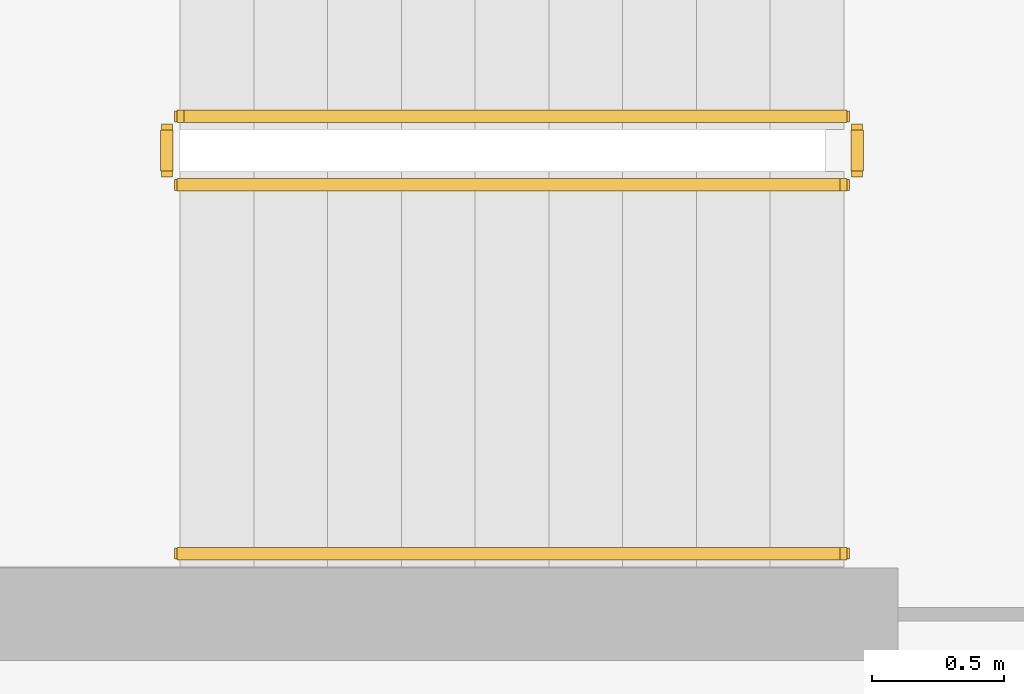
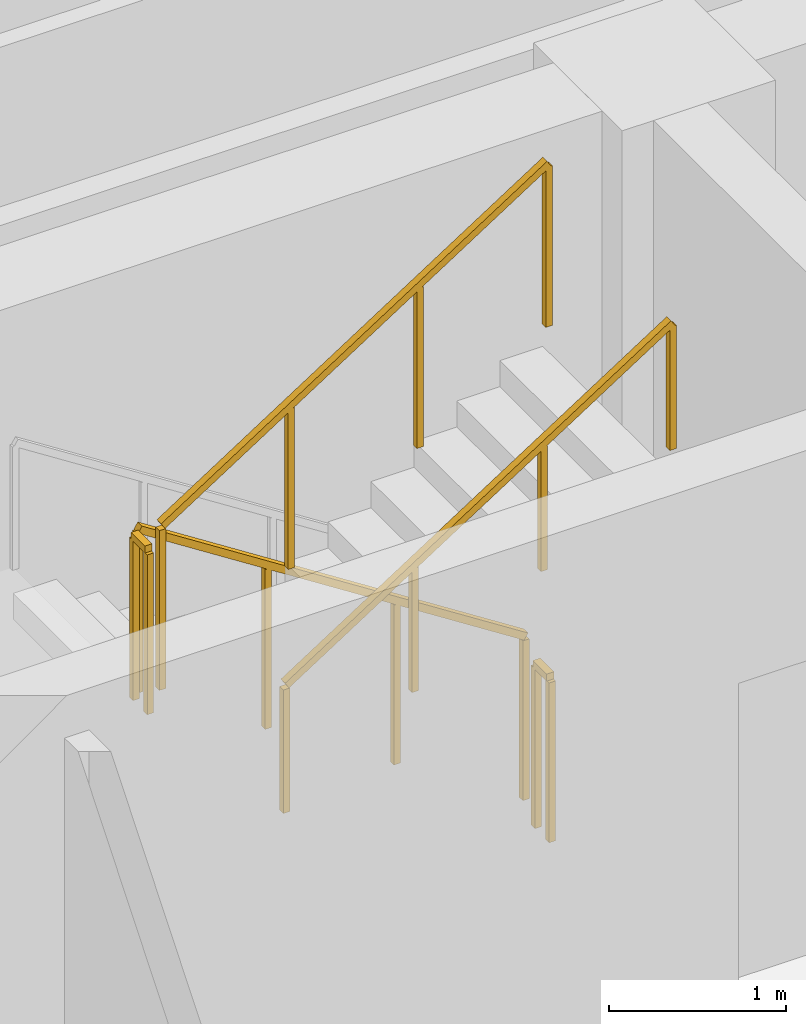
# One storey, part 12 of 14: 5 railings.
"""IFC4 building model written with IfcOpenShell, lengths in metres."""

from ifc_helpers import new_model, si_unit, direction, frame, origin, origin_2d, place, context, subcontext, project, spatial, rectangle, extrude, material, type_object, element, save


model = new_model("IFC4")

# Units and contexts
model_context = context("Model", 3, precision=1e-05, world=origin(), true_north=direction((0.0, 1.0)))
body_context = subcontext(model_context, "Body", "Model", "MODEL_VIEW")
ifc_project = project(units=[si_unit("LENGTHUNIT", "METRE"), si_unit("AREAUNIT", "SQUARE_METRE"), si_unit("VOLUMEUNIT", "CUBIC_METRE"), si_unit("PLANEANGLEUNIT", "RADIAN"), si_unit("MASSUNIT", "GRAM", prefix="KILO")], contexts=[model_context])

# Site, building, storey
site_placement = place(None, origin())
site = spatial("IfcSite", under=ifc_project, at=site_placement, CompositionType="ELEMENT")
building_placement = place(site_placement, origin())
building = spatial("IfcBuilding", under=site, at=building_placement, Name="Zarnavel Station Tower", CompositionType="ELEMENT")
storey_placement = place(building_placement, frame((0.0, 0.0, 193.199951171875)))
storey = spatial("IfcBuildingStorey", under=building, at=storey_placement, Name="L52", CompositionType="ELEMENT", Elevation=193.199951171875)

# Railings
ifc_material_1 = material(Name="Painted Steel S355J2 Balustrade", Category="steel")
railing_type_1 = type_object("IfcRailingType", Name="GR_INT_1150", PredefinedType="GUARDRAIL", material=ifc_material_1)
railing_1_placement = place(storey_placement, frame((19.47998046875, 35.3701171875, 0.179931640625)))
element("IfcRailing", 1, at=railing_1_placement, inside=storey, type_object=railing_type_1, Name="L52 ST1 stair guard 1", PredefinedType="GUARDRAIL", context=body_context, shape_type="SweptSolid", body=[
    extrude(rectangle(XDim=0.048095703125, YDim=0.048095703125, at=origin_2d()), frame((-0.001708984375, 0.0, 1.126953125), z_axis=(-0.841162588446, 0.0, 0.540782303519), x_axis=(0.0, -1.0, 0.0)), (0.0, 0.0, 1.0), 2.991943359375),
    extrude(rectangle(XDim=0.0419921875, YDim=0.0419921875, at=origin_2d()), origin(), (0.0, 0.0, 1.0), 1.101806640625),
    extrude(rectangle(XDim=0.0419921875, YDim=0.0419921875, at=origin_2d()), frame((-0.840087890625, 0.0, 0.5400390625)), (0.0, 0.0, 1.0), 1.101806640625),
    extrude(rectangle(XDim=0.0419921875, YDim=0.0419921875, at=origin_2d()), frame((-1.679931640625, 0.0, 1.080078125)), (0.0, 0.0, 1.0), 1.101806640625),
    extrude(rectangle(XDim=0.0419921875, YDim=0.0419921875, at=origin_2d()), frame((-2.52001953125, 0.0, 1.6201171875)), (0.0, 0.0, 1.0), 1.101806640625),
])
railing_2_placement = place(storey_placement, frame((16.909912109375, 35.320068359375, 1.800048828125)))
element("IfcRailing", 2, at=railing_2_placement, inside=storey, type_object=railing_type_1, Name="L52 ST1 stair guard 2", PredefinedType="GUARDRAIL", context=body_context, shape_type="SweptSolid", body=[
    extrude(rectangle(XDim=0.048095703125, YDim=0.048095703125, at=origin_2d()), frame((0.0, -0.001953125, 1.1259765625), z_axis=(0.0, -1.0, 0.0), x_axis=(1.0, 0.0, 0.0)), (0.0, 0.0, 1.0), 0.15625),
    extrude(rectangle(XDim=0.0419921875, YDim=0.0419921875, at=origin_2d()), origin(), (0.0, 0.0, 1.0), 1.101806640625),
    extrude(rectangle(XDim=0.0419921875, YDim=0.0419921875, at=origin_2d()), frame((0.0, -0.16015625, 0.0)), (0.0, 0.0, 1.0), 1.101806640625),
])
railing_3_placement = place(storey_placement, frame((16.9599609375, 35.110107421875, 1.97998046875)))
element("IfcRailing", 3, at=railing_3_placement, inside=storey, type_object=railing_type_1, Name="L52 ST1 stair guard 3", PredefinedType="GUARDRAIL", context=body_context, shape_type="SweptSolid", body=[
    extrude(rectangle(XDim=0.048095703125, YDim=0.048095703125, at=origin_2d()), frame((0.001708984375, 0.0, 1.126953125), z_axis=(0.841162588446, 0.0, 0.540782303519), x_axis=(0.0, 1.0, 0.0)), (0.0, 0.0, 1.0), 2.991943359375),
    extrude(rectangle(XDim=0.0419921875, YDim=0.0419921875, at=origin_2d()), origin(), (0.0, 0.0, 1.0), 1.101806640625),
    extrude(rectangle(XDim=0.0419921875, YDim=0.0419921875, at=origin_2d()), frame((0.840087890625, 0.0, 0.5400390625)), (0.0, 0.0, 1.0), 1.101806640625),
    extrude(rectangle(XDim=0.0419921875, YDim=0.0419921875, at=origin_2d()), frame((1.679931640625, 0.0, 1.080078125)), (0.0, 0.0, 1.0), 1.101806640625),
    extrude(rectangle(XDim=0.0419921875, YDim=0.0419921875, at=origin_2d()), frame((2.52001953125, 0.0, 1.6201171875)), (0.0, 0.0, 1.0), 1.101806640625),
])
railing_4_placement = place(storey_placement, frame((19.530029296875, 35.320068359375, 0.0)))
element("IfcRailing", 4, at=railing_4_placement, inside=storey, type_object=railing_type_1, Name="L52 ST1 stair guard 4", PredefinedType="GUARDRAIL", context=body_context, shape_type="SweptSolid", body=[
    extrude(rectangle(XDim=0.048095703125, YDim=0.048095703125, at=origin_2d()), frame((0.0, -0.001953125, 1.1259765625), z_axis=(0.0, -1.0, 0.0), x_axis=(1.0, 0.0, 0.0)), (0.0, 0.0, 1.0), 0.15625),
    extrude(rectangle(XDim=0.0419921875, YDim=0.0419921875, at=origin_2d()), origin(), (0.0, 0.0, 1.0), 1.101806640625),
    extrude(rectangle(XDim=0.0419921875, YDim=0.0419921875, at=origin_2d()), frame((0.0, -0.16015625, 0.0)), (0.0, 0.0, 1.0), 1.101806640625),
])
ifc_material_2 = material(Name="Brushed Stainless Steel S355J2 Handrail", Category="steel")
railing_type_2 = type_object("IfcRailingType", Name="HR_STAIR_900", PredefinedType="HANDRAIL", material=ifc_material_2)
railing_5_placement = place(storey_placement, frame((16.9599609375, 33.7099609375, 1.97998046875)))
element("IfcRailing", 5, at=railing_5_placement, inside=storey, type_object=railing_type_2, Name="L52 ST1 stair handrail 2", PredefinedType="HANDRAIL", context=body_context, shape_type="SweptSolid", body=[
    extrude(rectangle(XDim=0.048095703125, YDim=0.048095703125, at=origin_2d()), frame((0.001708984375, 0.0, 0.876953125), z_axis=(0.841162588446, 0.0, 0.540782303519), x_axis=(0.0, 1.0, 0.0)), (0.0, 0.0, 1.0), 2.991943359375),
    extrude(rectangle(XDim=0.0419921875, YDim=0.0419921875, at=origin_2d()), origin(), (0.0, 0.0, 1.0), 0.851806640625),
    extrude(rectangle(XDim=0.0419921875, YDim=0.0419921875, at=origin_2d()), frame((0.840087890625, 0.0, 0.5400390625)), (0.0, 0.0, 1.0), 0.851806640625),
    extrude(rectangle(XDim=0.0419921875, YDim=0.0419921875, at=origin_2d()), frame((1.679931640625, 0.0, 1.080078125)), (0.0, 0.0, 1.0), 0.851806640625),
    extrude(rectangle(XDim=0.0419921875, YDim=0.0419921875, at=origin_2d()), frame((2.52001953125, 0.0, 1.6201171875)), (0.0, 0.0, 1.0), 0.851806640625),
])

save(model, "model.ifc")
